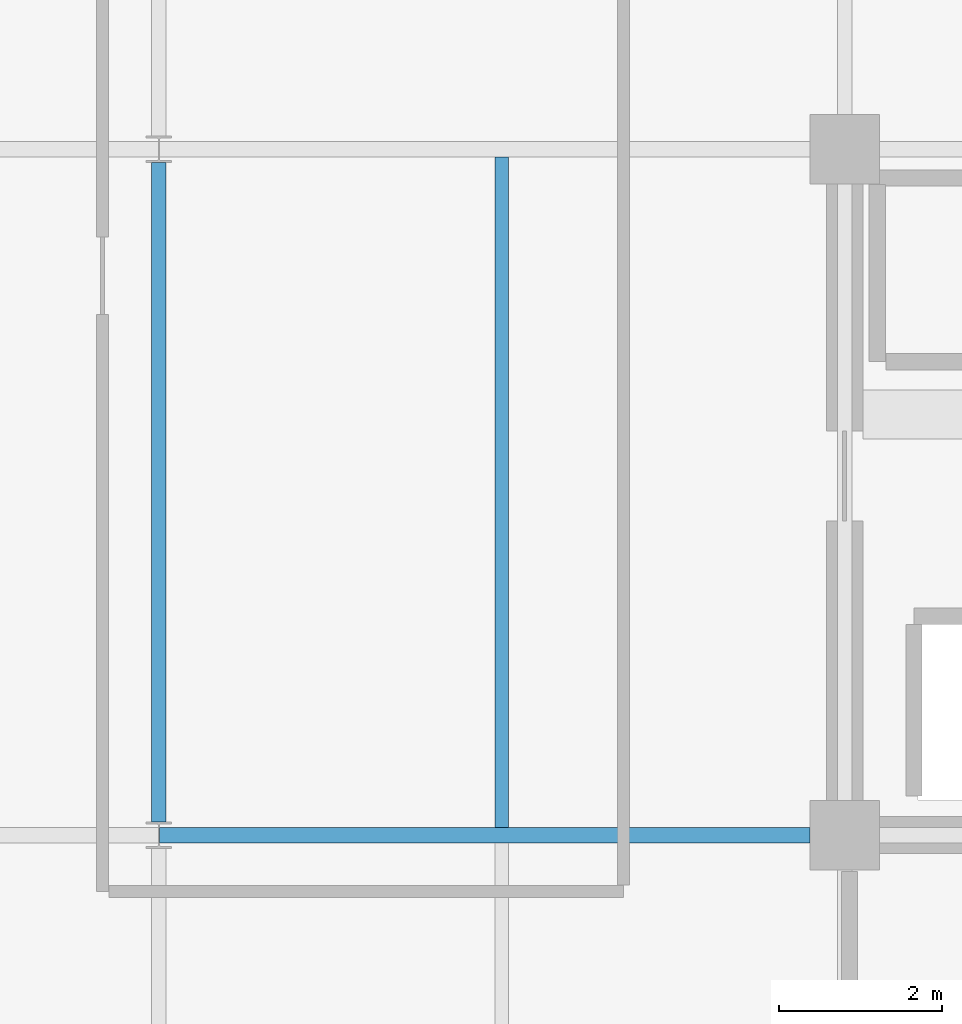
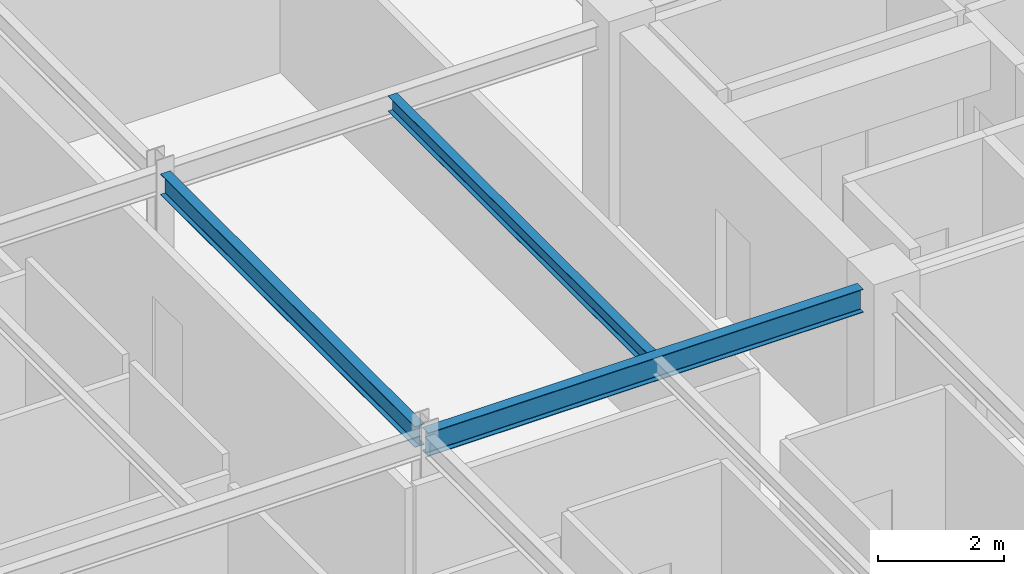
# One storey, part 6 of 27: 3 beams.
"""IFC4 building model written with IfcOpenShell, lengths in metres."""

import ifcopenshell
import ifcopenshell.guid

model = None  # the IFC model being written
_history = None  # IfcOwnerHistory: only IFC2X3 demands one
_inside = {}  # id of a spatial element -> (the spatial element, [elements in it])
_under = {}  # id of a project, library or spatial element -> (it, [spatial elements below it])
_declared = {}  # id of a project -> (the project, [libraries it declares])
_typed = {}  # id of a type object -> (the type object, [elements of that type])
_made_of = {}  # id of a material, layer set ... -> (it, [elements and type objects made of it])


def new_model(schema):
    """Start an empty IFC model of exactly this schema.

    Asked for "IFC4X3", IfcOpenShell would pick the latest addendum, in which some entities
    have other attributes; the version numbers below select the first issue.
    IFC2X3 requires an IfcOwnerHistory on every rooted entity: one is made here for all.
    """
    global model, _history
    if schema == "IFC4X3":
        model = ifcopenshell.file(schema_version=(4, 3, 0, 0))
    else:
        model = ifcopenshell.file(schema=schema)
    _inside.clear()
    _under.clear()
    _declared.clear()
    _typed.clear()
    _made_of.clear()
    _history = None
    if model.schema == "IFC2X3":
        org = make("IfcOrganization", Name="unknown")
        user = make(
            "IfcPersonAndOrganization",
            ThePerson=make("IfcPerson", FamilyName="unknown"),
            TheOrganization=org,
        )
        app = make(
            "IfcApplication",
            ApplicationDeveloper=org,
            Version="unknown",
            ApplicationFullName="unknown",
            ApplicationIdentifier="unknown",
        )
        _history = make(
            "IfcOwnerHistory",
            OwningUser=user,
            OwningApplication=app,
            ChangeAction="ADDED",
            CreationDate=0,
        )
    return model


def make(cls, **values):
    """One entity of the class cls with the attributes given. An attribute that is None is left unset."""
    return model.create_entity(
        cls, **{name: value for name, value in values.items() if value is not None}
    )


def rooted(cls, **values):
    """An entity with a GlobalId (a new one), such as an element, a storey or a relation."""
    return make(cls, GlobalId=ifcopenshell.guid.new(), OwnerHistory=_history, **values)


def si_unit(unit_type, name, prefix=None):
    """IfcSIUnit, for example si_unit("LENGTHUNIT", "METRE", prefix="MILLI")."""
    return make("IfcSIUnit", UnitType=unit_type, Prefix=prefix, Name=name)


def assignment(units):
    """IfcUnitAssignment: the units of a project."""
    return None if units is None else make("IfcUnitAssignment", Units=units)


def point(xyz):
    """IfcCartesianPoint."""
    return None if xyz is None else make("IfcCartesianPoint", Coordinates=xyz)


def direction(xyz):
    """IfcDirection."""
    return None if xyz is None else make("IfcDirection", DirectionRatios=xyz)


def frame(location, z_axis=None, x_axis=None):
    """IfcAxis2Placement3D, a coordinate frame: its origin and axes. An axis left out is left unset."""
    return make(
        "IfcAxis2Placement3D",
        Location=point(location),
        Axis=direction(z_axis),
        RefDirection=direction(x_axis),
    )


def frame_2d(location, x_axis=None):
    """IfcAxis2Placement2D, a coordinate frame in the plane: its origin and x axis."""
    return make(
        "IfcAxis2Placement2D", Location=point(location), RefDirection=direction(x_axis)
    )


def origin():
    """The frame at (0, 0, 0) with its axes left unset."""
    return frame((0.0, 0.0, 0.0))


def origin_2d():
    """The frame at (0, 0) in the plane with its x axis left unset."""
    return frame_2d((0.0, 0.0))


def place(relative_to, where):
    """IfcLocalPlacement: puts the frame where relative to a parent placement (None: the world)."""
    return make(
        "IfcLocalPlacement", PlacementRelTo=relative_to, RelativePlacement=where
    )


def context(
    kind, dimensions, precision=None, world=None, true_north=None, identifier=None
):
    """IfcGeometricRepresentationContext, for example the 3D "Model" context."""
    return make(
        "IfcGeometricRepresentationContext",
        ContextIdentifier=identifier,
        ContextType=kind,
        CoordinateSpaceDimension=dimensions,
        Precision=precision,
        WorldCoordinateSystem=world,
        TrueNorth=true_north,
    )


def subcontext(parent, identifier, kind, view, scale=None):
    """IfcGeometricRepresentationSubContext, for example "Body" below "Model"."""
    return make(
        "IfcGeometricRepresentationSubContext",
        ContextIdentifier=identifier,
        ContextType=kind,
        ParentContext=parent,
        TargetScale=scale,
        TargetView=view,
    )


def project(units=None, contexts=None):
    """IfcProject with its units and contexts."""
    return rooted(
        "IfcProject",
        Name="project",
        RepresentationContexts=contexts,
        UnitsInContext=assignment(units),
    )


def spatial(cls, under=None, at=None, **own):
    """A site, building, storey or space (cls), placed at a placement, below another one or the project."""
    s = rooted(cls, ObjectPlacement=at, **own)
    if under is not None:
        _under.setdefault(under.id(), (under, []))[1].append(s)
    return s


def profile(cls, at=None, kind="AREA", **sizes):
    """A parametric profile (cls). Its sizes go by their IFC names, for example OverallWidth=200.0."""
    return make(cls, ProfileType=kind, Position=at, **sizes)


def i_section(**sizes):
    """IfcIShapeProfileDef."""
    return profile("IfcIShapeProfileDef", **sizes)


def extrude(swept, where, along, depth):
    """IfcExtrudedAreaSolid: the profile swept, set in the frame where, extruded along a direction by depth."""
    return make(
        "IfcExtrudedAreaSolid",
        SweptArea=swept,
        Position=where,
        ExtrudedDirection=direction(along),
        Depth=depth,
    )


def shape(context_of_items, identifier, shape_type, items):
    """IfcShapeRepresentation: the items that make up one representation, for example the "Body"."""
    return make(
        "IfcShapeRepresentation",
        ContextOfItems=context_of_items,
        RepresentationIdentifier=identifier,
        RepresentationType=shape_type,
        Items=items,
    )


def material(Name=None, Category=None):
    """IfcMaterial."""
    return make("IfcMaterial", Name=Name, Category=Category)


def material_profile(
    of_material, cross_section, Name=None, Category=None, Priority=None
):
    """IfcMaterialProfile: a cross section and its material."""
    return make(
        "IfcMaterialProfile",
        Name=Name,
        Material=of_material,
        Profile=cross_section,
        Priority=Priority,
        Category=Category,
    )


def profile_set(profiles, Name=None, composite=None):
    """IfcMaterialProfileSet."""
    return make(
        "IfcMaterialProfileSet",
        Name=Name,
        MaterialProfiles=profiles,
        CompositeProfile=composite,
    )


def made_of(thing, what):
    """Note that an element or type object is made of a material, layer set ...; save() writes the relation."""
    if what is not None:
        _made_of.setdefault(what.id(), (what, []))[1].append(thing)
    return thing


def type_object(cls, material=None, **own):
    """A type object (cls), such as IfcWallType, which elements share."""
    return made_of(rooted(cls, **own), material)


def element(
    cls,
    number,
    at=None,
    inside=None,
    cuts=None,
    type_object=None,
    material=None,
    context=None,
    identifier="Body",
    shape_type=None,
    held_by="IfcProductDefinitionShape",
    body=None,
    shapes=None,
    **own,
):
    """One element of the class cls, such as IfcWall. Its Tag is "e" and its number.

    at: its placement. inside: the storey or other place that contains it. cuts: it is an
    opening in that element (IfcRelVoidsElement). A single representation is given by context,
    identifier, shape_type and body (its items); several are given by shapes. held_by: the class
    of the entity that holds the representations. save() writes the other relations.
    """
    e = rooted(cls, Tag="e%d" % number, ObjectPlacement=at, **own)
    if body is not None:
        shapes = [shape(context, identifier, shape_type, body)]
    if shapes is not None:
        e.Representation = make(held_by, Representations=shapes)
    if inside is not None:
        _inside.setdefault(inside.id(), (inside, []))[1].append(e)
    if cuts is not None:
        rooted(
            "IfcRelVoidsElement", RelatingBuildingElement=cuts, RelatedOpeningElement=e
        )
    if type_object is not None:
        _typed.setdefault(type_object.id(), (type_object, []))[1].append(e)
    return made_of(e, material)


def aggregate(whole, parts):
    """IfcRelAggregates: a whole, such as a stair, and the parts it consists of."""
    return rooted("IfcRelAggregates", RelatingObject=whole, RelatedObjects=parts)


def save(model, path):
    """Write the relations noted so far, then the file.

    IfcRelAggregates (storeys below a building ...), IfcRelContainedInSpatialStructure (elements
    in a storey), IfcRelDefinesByType, IfcRelAssociatesMaterial and IfcRelDeclares: one each for
    every whole, place, type object, material and project.
    """
    for whole, parts in _under.values():
        aggregate(whole, parts)
    for where, things in _inside.values():
        rooted(
            "IfcRelContainedInSpatialStructure",
            RelatedElements=things,
            RelatingStructure=where,
        )
    for kind, things in _typed.values():
        rooted("IfcRelDefinesByType", RelatedObjects=things, RelatingType=kind)
    for what, things in _made_of.values():
        rooted("IfcRelAssociatesMaterial", RelatedObjects=things, RelatingMaterial=what)
    for by, libraries in _declared.values():
        rooted("IfcRelDeclares", RelatingContext=by, RelatedDefinitions=libraries)
    model.write(path)


model = new_model("IFC4")

# Units and contexts
model_context = context("Model", 3, precision=1e-05, world=origin(), true_north=direction((0.0, 1.0)))
body_context = subcontext(model_context, "Body", "Model", "MODEL_VIEW")
ifc_project = project(units=[si_unit("LENGTHUNIT", "METRE"), si_unit("AREAUNIT", "SQUARE_METRE"), si_unit("VOLUMEUNIT", "CUBIC_METRE"), si_unit("PLANEANGLEUNIT", "RADIAN"), si_unit("MASSUNIT", "GRAM", prefix="KILO")], contexts=[model_context])

# Site, building, storey
site_placement = place(None, origin())
site = spatial("IfcSite", under=ifc_project, at=site_placement, CompositionType="ELEMENT")
building_placement = place(site_placement, origin())
building = spatial("IfcBuilding", under=site, at=building_placement, Name="Nerrivon Quay Data Exchange", CompositionType="ELEMENT")
storey_placement = place(building_placement, frame((0.0, 0.0, 278.199951171875)))
storey = spatial("IfcBuildingStorey", under=building, at=storey_placement, Name="L66", CompositionType="ELEMENT", Elevation=278.199951171875)

# Beams
ifc_material = material(Name="Steel Grade 350", Category="steel")
ifc_material_profile_1 = material_profile(ifc_material, i_section(OverallWidth=0.18994140625, OverallDepth=0.4541015625, WebThickness=0.008544921875, FlangeThickness=0.0126953125, FilletRadius=0.011474609375, at=origin_2d()), Name="460UB67.1")
ifc_profile_set_1 = profile_set([ifc_material_profile_1], Name="Steel Grade 350")
beam_type_1 = type_object("IfcBeamType", Name="BM-G6-460UB67", PredefinedType="BEAM", material=ifc_profile_set_1)
beam_1_placement = place(storey_placement, frame((8.40771484375, 8.39990234375, 3.498046875), z_axis=(1.0, 0.0, 0.0), x_axis=(0.0, 1.0, 0.0)))
element("IfcBeam", 1, at=beam_1_placement, inside=storey, type_object=beam_type_1, Name="L66 EW Girder Y=8.4 (8.4..16.8)", PredefinedType="BEAM", context=body_context, shape_type="SweptSolid", body=[
    extrude(i_section(OverallWidth=0.18994140625, OverallDepth=0.4541015625, WebThickness=0.008544921875, FlangeThickness=0.0126953125, FilletRadius=0.011474609375, at=origin_2d()), origin(), (0.0, 0.0, 1.0), 7.96728515625),
])
ifc_material_profile_2 = material_profile(ifc_material, i_section(OverallWidth=0.177978515625, OverallDepth=0.406005859375, WebThickness=0.0078125, FlangeThickness=0.0126953125, FilletRadius=0.011474609375, at=origin_2d()), Name="410UB59.7")
ifc_profile_set_2 = profile_set([ifc_material_profile_2], Name="Steel Grade 350")
beam_type_2 = type_object("IfcBeamType", Name="BM-J1-410UB60", PredefinedType="JOIST", material=ifc_profile_set_2)
beam_2_placement = place(storey_placement, frame((8.39990234375, 8.5634765625, 3.52197265625), z_axis=(0.0, 1.0, 0.0), x_axis=(-1.0, 0.0, 0.0)))
element("IfcBeam", 2, at=beam_2_placement, inside=storey, type_object=beam_type_2, Name="L66 NS Girder X=8.4 (8.4..16.8)", PredefinedType="JOIST", context=body_context, shape_type="SweptSolid", body=[
    extrude(i_section(OverallWidth=0.177978515625, OverallDepth=0.406005859375, WebThickness=0.0078125, FlangeThickness=0.0126953125, FilletRadius=0.011474609375, at=origin_2d()), origin(), (0.0, 0.0, 1.0), 8.072998046875),
])
ifc_material_profile_3 = material_profile(ifc_material, i_section(OverallWidth=0.1650390625, OverallDepth=0.303955078125, WebThickness=0.006103515625, FlangeThickness=0.01025390625, FilletRadius=0.011474609375, at=origin_2d()), Name="310UB40.4")
ifc_profile_set_3 = profile_set([ifc_material_profile_3], Name="Steel Grade 350")
beam_type_3 = type_object("IfcBeamType", Name="BM-J6-310UB40", PredefinedType="JOIST", material=ifc_profile_set_3)
beam_3_placement = place(storey_placement, frame((12.60009765625, 8.4951171875, 3.572998046875), z_axis=(0.0, 1.0, 0.0), x_axis=(-1.0, 0.0, 0.0)))
element("IfcBeam", 3, at=beam_3_placement, inside=storey, type_object=beam_type_3, Name="L66 Secondary Joist X=12.6 (8.4..16.8)", PredefinedType="JOIST", context=body_context, shape_type="SweptSolid", body=[
    extrude(i_section(OverallWidth=0.1650390625, OverallDepth=0.303955078125, WebThickness=0.006103515625, FlangeThickness=0.01025390625, FilletRadius=0.011474609375, at=origin_2d()), origin(), (0.0, 0.0, 1.0), 8.2099609375),
])

save(model, "model.ifc")
